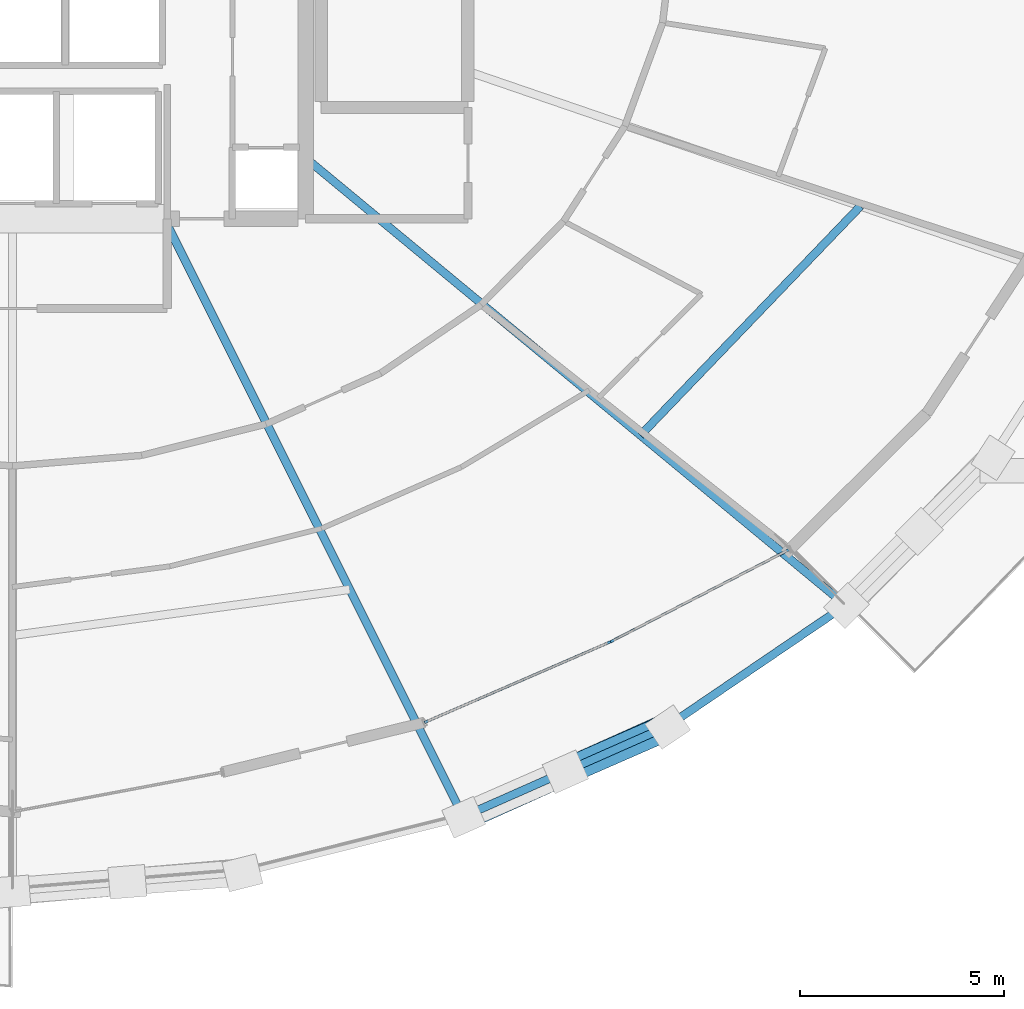
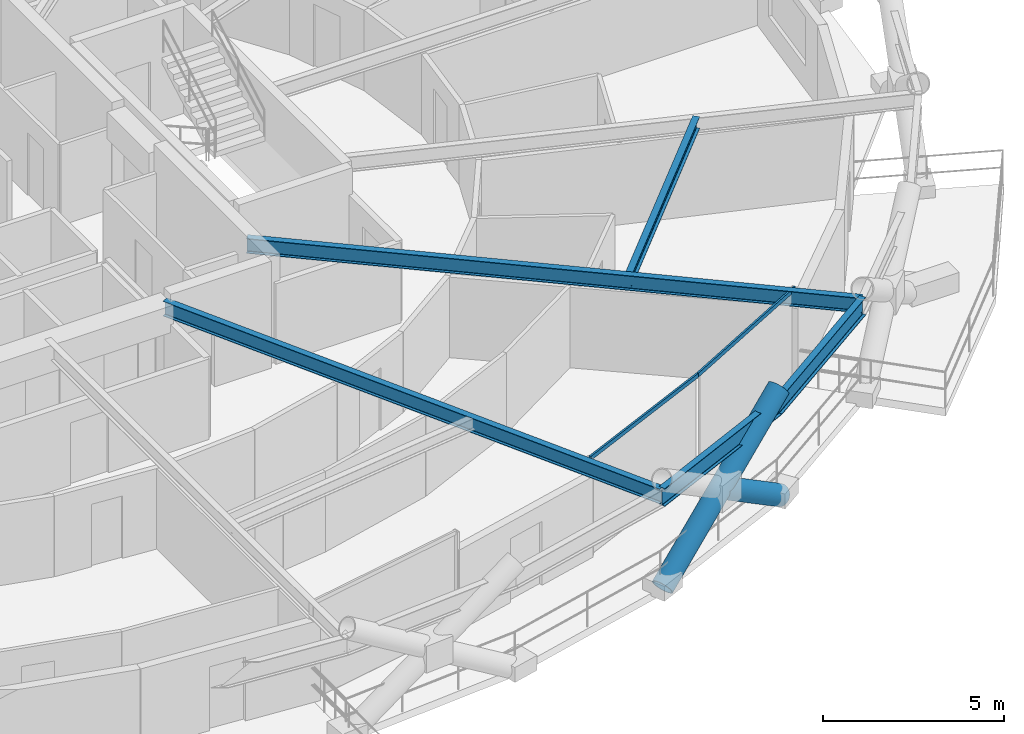
# One storey, part 5 of 14: 5 beams, 4 members, 1 element without a shape of its own.
"""IFC4 building model written with IfcOpenShell, lengths in metres."""

from ifc_helpers import new_model, si_unit, direction, frame, origin, origin_2d, place, context, subcontext, project, spatial, hollow_rectangle, hollow_circle, i_section, extrude, material, layer, layer_set, material_profile, profile_set, type_object, element, aggregate, save


model = new_model("IFC4")

# Units and contexts
model_context = context("Model", 3, precision=1e-05, world=origin(), true_north=direction((0.0, 1.0)))
body_context = subcontext(model_context, "Body", "Model", "MODEL_VIEW")
ifc_project = project(units=[si_unit("LENGTHUNIT", "METRE"), si_unit("AREAUNIT", "SQUARE_METRE"), si_unit("VOLUMEUNIT", "CUBIC_METRE"), si_unit("PLANEANGLEUNIT", "RADIAN"), si_unit("MASSUNIT", "GRAM", prefix="KILO")], contexts=[model_context])

# Site, building, storey
site_placement = place(None, origin())
site = spatial("IfcSite", under=ifc_project, at=site_placement, CompositionType="ELEMENT")
building_placement = place(site_placement, origin())
building = spatial("IfcBuilding", under=site, at=building_placement, Name="Veldorina Hangang Commons", CompositionType="ELEMENT")
storey_placement = place(building_placement, frame((0.0, 0.0, 88.0)))
storey = spatial("IfcBuildingStorey", under=building, at=storey_placement, Name="L22", CompositionType="ELEMENT", Elevation=88.0)

# Beams
ifc_material_1 = material(Name="Steel SM420-TMC", Category="steel")
ifc_material_profile_1 = material_profile(ifc_material_1, i_section(OverallWidth=0.199951171875, OverallDepth=0.5, WebThickness=0.010009765625, FlangeThickness=0.01611328125, FilletRadius=0.01611328125, at=origin_2d()), Name="H-500x200x10x16")
ifc_profile_set_1 = profile_set([ifc_material_profile_1], Name="Steel SM420-TMC")
beam_type_1 = type_object("IfcBeamType", Name="BM-FG500", PredefinedType="BEAM", material=ifc_profile_set_1)
beam_1_placement = place(storey_placement, frame((35.727294921875, 16.550048828125, 3.090087890625), z_axis=(0.447439726176, -0.894314089926, 0.0), x_axis=(0.894314089926, 0.447439726176, 0.0)))
element("IfcBeam", 1, at=beam_1_placement, inside=storey, type_object=beam_type_1, Name="L22 radial floor girder 14", PredefinedType="BEAM", context=body_context, shape_type="SweptSolid", body=[
    extrude(i_section(OverallWidth=0.199951171875, OverallDepth=0.5, WebThickness=0.010009765625, FlangeThickness=0.01611328125, FilletRadius=0.01611328125, at=origin_2d()), origin(), (0.0, 0.0, 1.0), 16.40966796875),
])
beam_2_placement = place(storey_placement, frame((39.199951171875, 18.0390625, 3.090087890625), z_axis=(0.770268862068, -0.637719280035, 0.0), x_axis=(0.637719280035, 0.770268862068, 0.0)))
element("IfcBeam", 2, at=beam_2_placement, inside=storey, type_object=beam_type_1, Name="L22 radial floor girder 15", PredefinedType="BEAM", context=body_context, shape_type="SweptSolid", body=[
    extrude(i_section(OverallWidth=0.199951171875, OverallDepth=0.5, WebThickness=0.010009765625, FlangeThickness=0.01611328125, FilletRadius=0.01611328125, at=origin_2d()), origin(), (0.0, 0.0, 1.0), 17.206787109375),
])
ifc_material_2 = material(Name="Steel SM355-TMC", Category="steel")
ifc_material_profile_2 = material_profile(ifc_material_2, i_section(OverallWidth=0.199951171875, OverallDepth=0.39990234375, WebThickness=0.008056640625, FlangeThickness=0.012939453125, FilletRadius=0.012939453125, at=origin_2d()), Name="H-400x200x8x13")
ifc_profile_set_2 = profile_set([ifc_material_profile_2], Name="Steel SM355-TMC")
beam_type_2 = type_object("IfcBeamType", Name="BM-JST400", PredefinedType="JOIST", material=ifc_profile_set_2)
beam_3_placement = place(storey_placement, frame((47.41748046875, 11.235595703125, 3.139892578125), z_axis=(0.692494026945, 0.721423608322, 0.0), x_axis=(-0.721423608322, 0.692494026945, 0.0)))
element("IfcBeam", 3, at=beam_3_placement, inside=storey, type_object=beam_type_2, Name="L22 secondary floor joist 15", PredefinedType="JOIST", context=body_context, shape_type="SweptSolid", body=[
    extrude(i_section(OverallWidth=0.199951171875, OverallDepth=0.39990234375, WebThickness=0.008056640625, FlangeThickness=0.012939453125, FilletRadius=0.012939453125, at=origin_2d()), origin(), (0.0, 0.0, 1.0), 7.7978515625),
])
ifc_material_profile_3 = material_profile(ifc_material_1, i_section(OverallWidth=0.199951171875, OverallDepth=0.60009765625, WebThickness=0.010986328125, FlangeThickness=0.01708984375, FilletRadius=0.01806640625, at=origin_2d()), Name="H-600x200x11x17")
ifc_profile_set_3 = profile_set([ifc_material_profile_3], Name="Steel SM420-TMC")
beam_type_3 = type_object("IfcBeamType", Name="BM-RB600", PredefinedType="BEAM", material=ifc_profile_set_3)
beam_4_placement = place(storey_placement, frame((43.069580078125, 1.874755859375, 3.0400390625), z_axis=(0.914473077645, 0.404646747499, 0.0), x_axis=(-0.404646747499, 0.914473077645, 0.0)))
element("IfcBeam", 4, at=beam_4_placement, inside=storey, type_object=beam_type_3, Name="L22 perimeter hoop ring beam 26", PredefinedType="BEAM", context=body_context, shape_type="SweptSolid", body=[
    extrude(i_section(OverallWidth=0.199951171875, OverallDepth=0.60009765625, WebThickness=0.010986328125, FlangeThickness=0.01708984375, FilletRadius=0.01806640625, at=origin_2d()), origin(), (0.0, 0.0, 1.0), 5.46875),
])
beam_5_placement = place(storey_placement, frame((48.070556640625, 4.087646484375, 3.0400390625), z_axis=(0.827134666124, 0.562003775874, 0.0), x_axis=(-0.562003775874, 0.827134666124, 0.0)))
element("IfcBeam", 5, at=beam_5_placement, inside=storey, type_object=beam_type_3, Name="L22 perimeter hoop ring beam 27", PredefinedType="BEAM", context=body_context, shape_type="SweptSolid", body=[
    extrude(i_section(OverallWidth=0.199951171875, OverallDepth=0.60009765625, WebThickness=0.010986328125, FlangeThickness=0.01708984375, FilletRadius=0.01806640625, at=origin_2d()), origin(), (0.0, 0.0, 1.0), 5.29931640625),
])

# Curtain wall, members
ifc_material_3 = material(Name="Glass Low-E Triple IGU", Category="glass")
ifc_layer = layer(ifc_material_3, 0.179931640625)
ifc_layer_set = layer_set([ifc_layer], Name="Glass Low-E Triple IGU")
curtain_wall_type = type_object("IfcCurtainWallType", Name="CW-SYS-Z1", PredefinedType="NOTDEFINED", material=ifc_layer_set)
curtain_wall_placement = place(storey_placement, origin())
curtain_wall = element("IfcCurtainWall", 6, at=curtain_wall_placement, inside=storey, type_object=curtain_wall_type, Name="L22 unitised curtain wall CW-L22-R2", PredefinedType="NOTDEFINED")
ifc_material_4 = material(Name="Aluminium Anodized AA6063-T6", Category="aluminium")
ifc_material_profile_4 = material_profile(ifc_material_4, hollow_rectangle(XDim=0.06005859375, YDim=0.139892578125, WallThickness=0.00341796875, at=origin_2d()), Name="ALU-RHS-140x60x3.5")
ifc_profile_set_4 = profile_set([ifc_material_profile_4], Name="Aluminium Anodized AA6063-T6")
member_type_1 = type_object("IfcMemberType", Name="CW-TRN-140", PredefinedType="USERDEFINED", material=ifc_profile_set_4)
member_1_placement = place(storey_placement, frame((42.114990234375, 4.186279296875, 3.260009765625), z_axis=(0.917432795889, 0.397890770222, 0.0), x_axis=(-0.397890770222, 0.917432795889, 0.0)))
member_1 = element("IfcMember", 7, at=member_1_placement, type_object=member_type_1, Name="CW-L22-R2 facet 1 transom 1", ObjectType="TRANSOM", PredefinedType="USERDEFINED", context=body_context, shape_type="SweptSolid", body=[
    extrude(hollow_rectangle(XDim=0.06005859375, YDim=0.139892578125, WallThickness=0.00341796875, at=origin_2d()), origin(), (0.0, 0.0, 1.0), 4.981201171875),
])
member_2_placement = place(storey_placement, frame((46.684814453125, 6.168212890625, 3.260009765625), z_axis=(0.888666019969, 0.458555018458, 0.0), x_axis=(-0.458555018458, 0.888666019969, 0.0)))
member_2 = element("IfcMember", 8, at=member_2_placement, type_object=member_type_1, Name="CW-L22-R2 facet 2 transom 1", ObjectType="TRANSOM", PredefinedType="USERDEFINED", context=body_context, shape_type="SweptSolid", body=[
    extrude(hollow_rectangle(XDim=0.06005859375, YDim=0.139892578125, WallThickness=0.00341796875, at=origin_2d()), origin(), (0.0, 0.0, 1.0), 4.952392578125),
])
aggregate(curtain_wall, [member_1, member_2])

# Members
ifc_material_5 = material(Name="Steel SM460-TMC", Category="steel")
ifc_material_profile_5 = material_profile(ifc_material_5, hollow_circle(Radius=0.324951171875, WallThickness=0.031982421875, at=origin_2d()), Name="CHS-650x32")
ifc_profile_set_5 = profile_set([ifc_material_profile_5], Name="Steel SM460-TMC")
member_type_2 = type_object("IfcMemberType", Name="DG-CHS650", PredefinedType="BRACE", material=ifc_profile_set_5)
member_3_placement = place(storey_placement, frame((43.079345703125, 1.858154296875, 0.0), z_axis=(0.762253072196, 0.34111692322, 0.550099535193), x_axis=(-0.408474784072, 0.912769604433, 0.0)))
element("IfcMember", 9, at=member_3_placement, inside=storey, type_object=member_type_2, Name="L22 continuous perimeter diagrid brace 26", PredefinedType="BRACE", context=body_context, shape_type="SweptSolid", body=[
    extrude(hollow_circle(Radius=0.324951171875, WallThickness=0.031982421875, at=origin_2d()), origin(), (0.0, 0.0, 1.0), 6.54443359375),
])
member_4_placement = place(storey_placement, frame((48.084716796875, 4.07275390625, 0.0), z_axis=(-0.765573830905, -0.33490131494, 0.549306670891), x_axis=(0.400781431685, -0.916173697514, 0.0)))
element("IfcMember", 10, at=member_4_placement, inside=storey, type_object=member_type_2, Name="L22 split perimeter diagrid lower brace 27", PredefinedType="BRACE", context=body_context, shape_type="SweptSolid", body=[
    extrude(hollow_circle(Radius=0.324951171875, WallThickness=0.031982421875, at=origin_2d()), origin(), (0.0, 0.0, 1.0), 3.2783203125),
])

save(model, "model.ifc")
